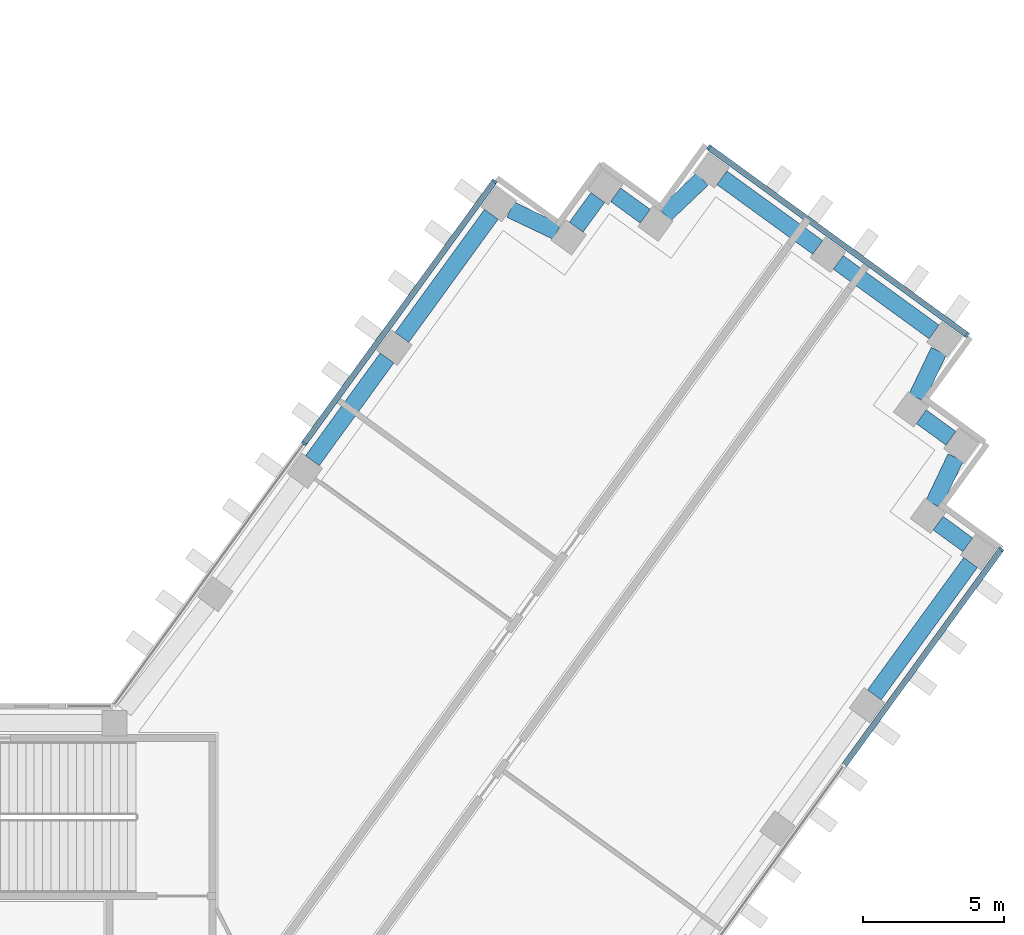
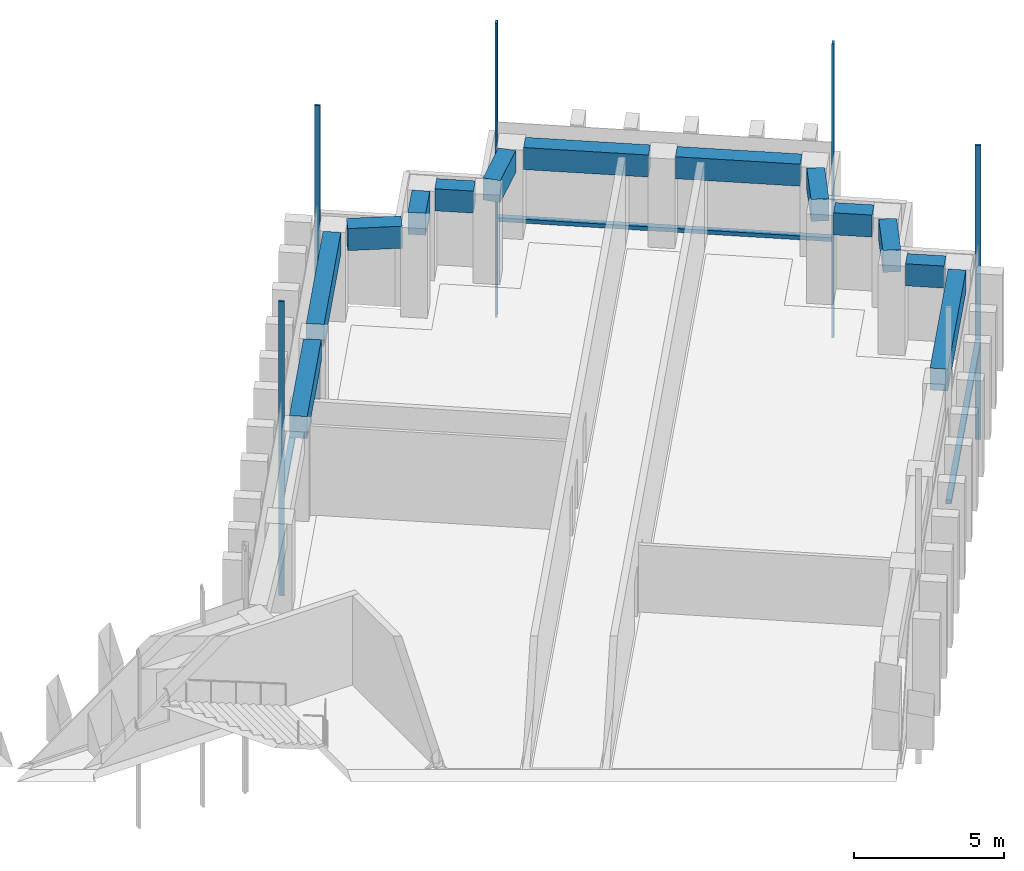
# One storey, part 6 of 16: 13 beams, 8 members, 3 elements without a shape of their own.
"""IFC4 building model written with IfcOpenShell, lengths in metres."""

from ifc_helpers import new_model, si_unit, direction, frame, origin, origin_2d, place, context, subcontext, project, spatial, rectangle, extrude, material, material_profile, profile_set, type_object, element, aggregate, save


model = new_model("IFC4")

# Units and contexts
model_context = context("Model", 3, precision=1e-05, world=origin(), true_north=direction((0.0, 1.0)))
body_context = subcontext(model_context, "Body", "Model", "MODEL_VIEW")
ifc_project = project(units=[si_unit("LENGTHUNIT", "METRE"), si_unit("AREAUNIT", "SQUARE_METRE"), si_unit("VOLUMEUNIT", "CUBIC_METRE"), si_unit("PLANEANGLEUNIT", "RADIAN"), si_unit("MASSUNIT", "GRAM", prefix="KILO")], contexts=[model_context])

# Site, building, storey
site_placement = place(None, origin())
site = spatial("IfcSite", under=ifc_project, at=site_placement, CompositionType="ELEMENT")
building_placement = place(site_placement, origin())
building = spatial("IfcBuilding", under=site, at=building_placement, Name="Quipu Civic Tower", CompositionType="ELEMENT")
storey_placement = place(building_placement, frame((0.0, 0.0, 113.0)))
storey = spatial("IfcBuildingStorey", under=building, at=storey_placement, Name="L26", CompositionType="ELEMENT", Elevation=113.0)

# Curtain wall, member
ifc_material_1 = material(Name="Insulated glass unit", Category="glass")
curtain_wall_type = type_object("IfcCurtainWallType", Name="Office curtain wall CW1", PredefinedType="NOTDEFINED", material=ifc_material_1)
curtain_wall_1_placement = place(storey_placement, origin())
curtain_wall_1 = element("IfcCurtainWall", 1, at=curtain_wall_1_placement, inside=storey, type_object=curtain_wall_type, Name="Office curtain wall CW1 L25 run 23", PredefinedType="NOTDEFINED")
ifc_material_2 = material(Name="Anodised aluminium", Category="aluminium")
ifc_material_profile_1 = material_profile(ifc_material_2, rectangle(XDim=0.199951171875, YDim=0.080078125, at=origin_2d()), Name="RECT 200x80")
ifc_profile_set_1 = profile_set([ifc_material_profile_1], Name="Anodised aluminium")
member_type_1 = type_object("IfcMemberType", Name="Mullion CW1", PredefinedType="MULLION", material=ifc_profile_set_1)
member_1_placement = place(storey_placement, frame((45.825927734375, 16.661865234375, -3.919921875), z_axis=(0.0, 0.0, 1.0), x_axis=(-0.809016904652, 0.587785375786, 0.0)))
member_1 = element("IfcMember", 2, at=member_1_placement, type_object=member_type_1, Name="CW1 mullion 4", PredefinedType="MULLION", context=body_context, shape_type="SweptSolid", body=[
    extrude(rectangle(XDim=0.199951171875, YDim=0.080078125, at=origin_2d()), origin(), (0.0, 0.0, 1.0), 12.0),
])

# Curtain wall, members
curtain_wall_2_placement = place(storey_placement, origin())
curtain_wall_2 = element("IfcCurtainWall", 3, at=curtain_wall_2_placement, inside=storey, type_object=curtain_wall_type, Name="Office curtain wall CW1 L25 run 25", PredefinedType="NOTDEFINED")
member_2_placement = place(storey_placement, frame((44.62255859375, 24.260498046875, -3.919921875), z_axis=(0.0, 0.0, 1.0), x_axis=(-0.587787753918, -0.809015176832, 0.0)))
member_2 = element("IfcMember", 4, at=member_2_placement, type_object=member_type_1, Name="CW1 mullion 1", PredefinedType="MULLION", context=body_context, shape_type="SweptSolid", body=[
    extrude(rectangle(XDim=0.199951171875, YDim=0.080078125, at=origin_2d()), origin(), (0.0, 0.0, 1.0), 12.0),
])
member_3_placement = place(storey_placement, frame((35.46435546875, 30.914306640625, -3.919921875), z_axis=(0.0, 0.0, 1.0), x_axis=(-0.587787753918, -0.809015176832, 0.0)))
member_3 = element("IfcMember", 5, at=member_3_placement, type_object=member_type_1, Name="CW1 mullion 2", PredefinedType="MULLION", context=body_context, shape_type="SweptSolid", body=[
    extrude(rectangle(XDim=0.199951171875, YDim=0.080078125, at=origin_2d()), origin(), (0.0, 0.0, 1.0), 12.0),
])

curtain_wall_3_placement = place(storey_placement, origin())
curtain_wall_3 = element("IfcCurtainWall", 6, at=curtain_wall_3_placement, inside=storey, type_object=curtain_wall_type, Name="Office curtain wall CW1 L25 run 30", PredefinedType="NOTDEFINED")
member_4_placement = place(storey_placement, frame((27.865966796875, 29.7109375, -3.919921875), z_axis=(0.0, 0.0, 1.0), x_axis=(0.809014469803, -0.587788727052, 0.0)))
member_4 = element("IfcMember", 7, at=member_4_placement, type_object=member_type_1, Name="CW1 mullion 1", PredefinedType="MULLION", context=body_context, shape_type="SweptSolid", body=[
    extrude(rectangle(XDim=0.199951171875, YDim=0.080078125, at=origin_2d()), origin(), (0.0, 0.0, 1.0), 12.0),
])
member_5_placement = place(storey_placement, frame((21.11669921875, 20.421630859375, -3.919921875), z_axis=(0.0, 0.0, 1.0), x_axis=(0.809014469803, -0.587788727052, 0.0)))
member_5 = element("IfcMember", 8, at=member_5_placement, type_object=member_type_1, Name="CW1 mullion 2", PredefinedType="MULLION", context=body_context, shape_type="SweptSolid", body=[
    extrude(rectangle(XDim=0.199951171875, YDim=0.080078125, at=origin_2d()), origin(), (0.0, 0.0, 1.0), 12.0),
])

# Beams
ifc_material_3 = material(Name="Concrete C50/60", Category="concrete")
ifc_material_profile_2 = material_profile(ifc_material_3, rectangle(XDim=0.60009765625, YDim=0.89990234375, at=origin_2d()), Name="RC600x900")
ifc_profile_set_2 = profile_set([ifc_material_profile_2], Name="Concrete C50/60")
beam_type = type_object("IfcBeamType", Name="Spandrel beam RC 600x900 C50/60", PredefinedType="SPANDREL", material=ifc_profile_set_2)
beam_1_placement = place(storey_placement, frame((41.3349609375, 11.50146484375, 3.199951171875), z_axis=(0.587766353983, 0.809030724463, 0.0), x_axis=(-0.809030724463, 0.587766353983, 0.0)))
element("IfcBeam", 9, at=beam_1_placement, inside=storey, type_object=beam_type, Name="Spandrel beam L26 E-OUT-04 to T-Eo.0-E34", PredefinedType="SPANDREL", context=body_context, shape_type="SweptSolid", body=[
    extrude(rectangle(XDim=0.60009765625, YDim=0.89990234375, at=origin_2d()), origin(), (0.0, 0.0, 1.0), 5.802734375),
])
beam_2_placement = place(storey_placement, frame((44.646240234375, 16.82470703125, 3.199951171875), z_axis=(-0.808524921146, 0.588461937499, 0.0), x_axis=(-0.588461937499, -0.808524921146, 0.0)))
element("IfcBeam", 10, at=beam_2_placement, inside=storey, type_object=beam_type, Name="Spandrel beam L26 T-Eo.0-E34 to T-Eo.1-E34", PredefinedType="SPANDREL", context=body_context, shape_type="SweptSolid", body=[
    extrude(rectangle(XDim=0.60009765625, YDim=0.89990234375, at=origin_2d()), origin(), (0.0, 0.0, 1.0), 1.30029296875),
])
beam_3_placement = place(storey_placement, frame((43.42822265625, 18.267578125, 3.199951171875), z_axis=(0.430677818234, 0.902505743406, 0.0), x_axis=(-0.902505743406, 0.430677818234, 0.0)))
element("IfcBeam", 11, at=beam_3_placement, inside=storey, type_object=beam_type, Name="Spandrel beam L26 T-Eo.1-E34 to T-Eo.2-E34", PredefinedType="SPANDREL", context=body_context, shape_type="SweptSolid", body=[
    extrude(rectangle(XDim=0.60009765625, YDim=0.89990234375, at=origin_2d()), origin(), (0.0, 0.0, 1.0), 1.833251953125),
])
beam_4_placement = place(storey_placement, frame((44.05078125, 20.59912109375, 3.199951171875), z_axis=(-0.809393823939, 0.587266240959, 0.0), x_axis=(-0.587266240959, -0.809393823939, 0.0)))
element("IfcBeam", 12, at=beam_4_placement, inside=storey, type_object=beam_type, Name="Spandrel beam L26 T-Eo.2-E34 to T-Eo.3-E34", PredefinedType="SPANDREL", context=body_context, shape_type="SweptSolid", body=[
    extrude(rectangle(XDim=0.60009765625, YDim=0.89990234375, at=origin_2d()), origin(), (0.0, 0.0, 1.0), 1.299072265625),
])
beam_5_placement = place(storey_placement, frame((42.83154296875, 22.03955078125, 3.199951171875), z_axis=(0.429892146977, 0.902880247856, 0.0), x_axis=(-0.902880247856, 0.429892146977, 0.0)))
element("IfcBeam", 13, at=beam_5_placement, inside=storey, type_object=beam_type, Name="Spandrel beam L26 T-Eo.3-E34 to T-Eo.4-E34", PredefinedType="SPANDREL", context=body_context, shape_type="SweptSolid", body=[
    extrude(rectangle(XDim=0.60009765625, YDim=0.89990234375, at=origin_2d()), origin(), (0.0, 0.0, 1.0), 1.829833984375),
])
beam_6_placement = place(storey_placement, frame((43.450927734375, 24.36962890625, 3.199951171875), z_axis=(-0.808987489375, 0.587825860298, 0.0), x_axis=(-0.587825860298, -0.808987489375, 0.0)))
element("IfcBeam", 14, at=beam_6_placement, inside=storey, type_object=beam_type, Name="Spandrel beam L26 T-Eo.4-E34 to TIP-E-01-E34", PredefinedType="SPANDREL", context=body_context, shape_type="SweptSolid", body=[
    extrude(rectangle(XDim=0.60009765625, YDim=0.89990234375, at=origin_2d()), origin(), (0.0, 0.0, 1.0), 4.1982421875),
])
beam_7_placement = place(storey_placement, frame((39.32666015625, 27.366455078125, 3.199951171875), z_axis=(-0.808969789945, 0.58785021813, 0.0), x_axis=(-0.58785021813, -0.808969789945, 0.0)))
element("IfcBeam", 15, at=beam_7_placement, inside=storey, type_object=beam_type, Name="Spandrel beam L26 TIP-E-01-E34 to T-Ei.0-E34", PredefinedType="SPANDREL", context=body_context, shape_type="SweptSolid", body=[
    extrude(rectangle(XDim=0.60009765625, YDim=0.89990234375, at=origin_2d()), origin(), (0.0, 0.0, 1.0), 4.199951171875),
])
beam_8_placement = place(storey_placement, frame((35.233154296875, 29.784912109375, 3.199951171875), z_axis=(-0.725209203815, -0.688528583795, 0.0), x_axis=(0.688528583795, -0.725209203815, 0.0)))
element("IfcBeam", 16, at=beam_8_placement, inside=storey, type_object=beam_type, Name="Spandrel beam L26 T-Ei.0-E34 to T-Ei.1-E34", PredefinedType="SPANDREL", context=body_context, shape_type="SweptSolid", body=[
    extrude(rectangle(XDim=0.60009765625, YDim=0.89990234375, at=origin_2d()), origin(), (0.0, 0.0, 1.0), 1.830322265625),
])
beam_9_placement = place(storey_placement, frame((33.209716796875, 28.4736328125, 3.199951171875), z_axis=(-0.809402563526, 0.587254195521, 0.0), x_axis=(-0.587254195521, -0.809402563526, 0.0)))
element("IfcBeam", 17, at=beam_9_placement, inside=storey, type_object=beam_type, Name="Spandrel beam L26 T-Ei.1-E34 to T-Ei.2-E34", PredefinedType="SPANDREL", context=body_context, shape_type="SweptSolid", body=[
    extrude(rectangle(XDim=0.60009765625, YDim=0.89990234375, at=origin_2d()), origin(), (0.0, 0.0, 1.0), 1.2978515625),
])
beam_10_placement = place(storey_placement, frame((31.52978515625, 29.136474609375, 3.199951171875), z_axis=(-0.589187485143, -0.80799635355, 0.0), x_axis=(0.80799635355, -0.589187485143, 0.0)))
element("IfcBeam", 18, at=beam_10_placement, inside=storey, type_object=beam_type, Name="Spandrel beam L26 T-Ei.2-E34 to T-Ei.3-E34", PredefinedType="SPANDREL", context=body_context, shape_type="SweptSolid", body=[
    extrude(rectangle(XDim=0.60009765625, YDim=0.89990234375, at=origin_2d()), origin(), (0.0, 0.0, 1.0), 1.2998046875),
])
beam_11_placement = place(storey_placement, frame((30.085693359375, 27.919677734375, 3.199951171875), z_axis=(-0.902567013751, 0.430549399823, 0.0), x_axis=(-0.430549399823, -0.902567013751, 0.0)))
element("IfcBeam", 19, at=beam_11_placement, inside=storey, type_object=beam_type, Name="Spandrel beam L26 T-Ei.3-E34 to T-Ei.4-E34", PredefinedType="SPANDREL", context=body_context, shape_type="SweptSolid", body=[
    extrude(rectangle(XDim=0.60009765625, YDim=0.89990234375, at=origin_2d()), origin(), (0.0, 0.0, 1.0), 1.8310546875),
])
beam_12_placement = place(storey_placement, frame((27.755615234375, 28.541015625, 3.199951171875), z_axis=(-0.58767640123, -0.809096068114, 0.0), x_axis=(0.809096068114, -0.58767640123, 0.0)))
element("IfcBeam", 20, at=beam_12_placement, inside=storey, type_object=beam_type, Name="Spandrel beam L26 T-Ei.4-E34 to E-IN-03", PredefinedType="SPANDREL", context=body_context, shape_type="SweptSolid", body=[
    extrude(rectangle(XDim=0.60009765625, YDim=0.89990234375, at=origin_2d()), origin(), (0.0, 0.0, 1.0), 5.39404296875),
])
beam_13_placement = place(storey_placement, frame((24.056884765625, 23.448486328125, 3.199951171875), z_axis=(-0.587778073121, -0.809022210299, 0.0), x_axis=(0.809022210299, -0.587778073121, 0.0)))
element("IfcBeam", 21, at=beam_13_placement, inside=storey, type_object=beam_type, Name="Spandrel beam L26 E-IN-03 to E-IN-02", PredefinedType="SPANDREL", context=body_context, shape_type="SweptSolid", body=[
    extrude(rectangle(XDim=0.60009765625, YDim=0.89990234375, at=origin_2d()), origin(), (0.0, 0.0, 1.0), 4.5),
])

# Member
ifc_material_4 = material(Name="Anodised aluminium", Category="aluminium")
ifc_material_profile_3 = material_profile(ifc_material_4, rectangle(XDim=0.199951171875, YDim=0.159912109375, at=origin_2d()), Name="RECT 200x160")
ifc_profile_set_3 = profile_set([ifc_material_profile_3], Name="Anodised aluminium")
member_type_2 = type_object("IfcMemberType", Name="Transom CW1", PredefinedType="USERDEFINED", material=ifc_profile_set_3)
member_6_placement = place(storey_placement, frame((40.275146484375, 9.02197265625, 0.080078125), z_axis=(0.58778879159, 0.809014422913, 0.0), x_axis=(-0.809014422913, 0.58778879159, 0.0)))
member_6 = element("IfcMember", 22, at=member_6_placement, type_object=member_type_2, Name="CW1 transom 3.2", ObjectType="TRANSOM", PredefinedType="USERDEFINED", context=body_context, shape_type="SweptSolid", body=[
    extrude(rectangle(XDim=0.199951171875, YDim=0.159912109375, at=origin_2d()), origin(), (0.0, 0.0, 1.0), 9.403564453125),
])

aggregate(curtain_wall_1, [member_1, member_6])

member_7_placement = place(storey_placement, frame((44.590087890625, 24.2841796875, 0.080078125), z_axis=(-0.809014959561, 0.587788052963, 0.0), x_axis=(-0.587788052963, -0.809014959561, 0.0)))
member_7 = element("IfcMember", 23, at=member_7_placement, type_object=member_type_2, Name="CW1 transom 1.2", ObjectType="TRANSOM", PredefinedType="USERDEFINED", context=body_context, shape_type="SweptSolid", body=[
    extrude(rectangle(XDim=0.199951171875, YDim=0.159912109375, at=origin_2d()), origin(), (0.0, 0.0, 1.0), 11.239990234375),
])

aggregate(curtain_wall_2, [member_2, member_3, member_7])

member_8_placement = place(storey_placement, frame((27.84228515625, 29.678466796875, 0.080078125), z_axis=(-0.587775682251, -0.809023947331, 0.0), x_axis=(0.809023947331, -0.587775682251, 0.0)))
member_8 = element("IfcMember", 24, at=member_8_placement, type_object=member_type_2, Name="CW1 transom 1.2", ObjectType="TRANSOM", PredefinedType="USERDEFINED", context=body_context, shape_type="SweptSolid", body=[
    extrude(rectangle(XDim=0.199951171875, YDim=0.159912109375, at=origin_2d()), origin(), (0.0, 0.0, 1.0), 11.402099609375),
])

aggregate(curtain_wall_3, [member_4, member_5, member_8])

save(model, "model.ifc")
